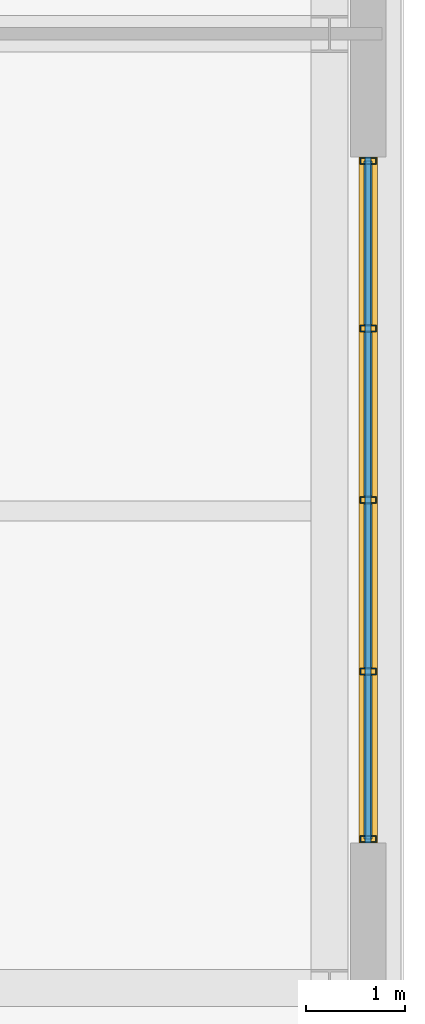
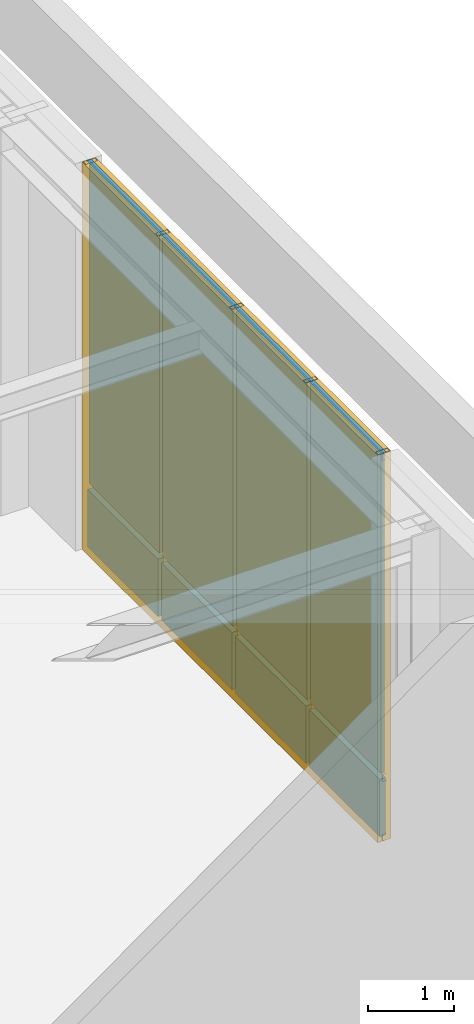
# One storey, part 10 of 17: 8 members, 8 plates, 1 curtain wall.
"""IFC4 building model written with IfcOpenShell, lengths in metres."""

from ifc_helpers import new_model, si_unit, direction, frame, frame_2d, origin, origin_2d, place, context, subcontext, project, spatial, rectangle, hollow_rectangle, extrude, material, layer, layer_set, material_profile, profile_set, type_object, element, aggregate, save


model = new_model("IFC4")

# Units and contexts
model_context = context("Model", 3, precision=1e-05, world=origin(), true_north=direction((0.0, 1.0)))
body_context = subcontext(model_context, "Body", "Model", "MODEL_VIEW")
ifc_project = project(units=[si_unit("LENGTHUNIT", "METRE"), si_unit("AREAUNIT", "SQUARE_METRE"), si_unit("VOLUMEUNIT", "CUBIC_METRE"), si_unit("PLANEANGLEUNIT", "RADIAN"), si_unit("MASSUNIT", "GRAM", prefix="KILO")], contexts=[model_context])

# Member
ifc_material_1 = material(Name="Anodized Aluminium 6063-T6", Category="aluminium")
ifc_material_profile_1 = material_profile(ifc_material_1, hollow_rectangle(XDim=0.06494140625, YDim=0.159912109375, WallThickness=0.00390625, at=origin_2d()), Name="Anodized Aluminium 6063-T6")
ifc_profile_set_1 = profile_set([ifc_material_profile_1], Name="Anodized Aluminium 6063-T6")
member_type_1 = type_object("IfcMemberType", Name="Curtain Wall Mullion 160", PredefinedType="MULLION", material=ifc_profile_set_1)
site_placement = place(None, origin())
building_placement = place(site_placement, origin())
storey_placement = place(building_placement, frame((0.0, 0.0, 308.0)))
member_1_placement = place(storey_placement, frame((47.639892578125, 11.10009765625, 0.0), z_axis=(0.0, 0.0, 1.0), x_axis=(0.0, 1.0, 0.0)))
member_1 = element("IfcMember", 1, at=member_1_placement, type_object=member_type_1, Name="Curtain Wall Mullion CW-L78-E04-1-M01", PredefinedType="MULLION", context=body_context, shape_type="SweptSolid", body=[
    extrude(hollow_rectangle(XDim=0.06494140625, YDim=0.159912109375, WallThickness=0.00390625, at=origin_2d()), origin(), (0.0, 0.0, 1.0), 5.52001953125),
])

member_2_placement = place(storey_placement, frame((47.639892578125, 12.784912109375, 0.0), z_axis=(0.0, 0.0, 1.0), x_axis=(0.0, 1.0, 0.0)))
member_2 = element("IfcMember", 2, at=member_2_placement, type_object=member_type_1, Name="Curtain Wall Mullion CW-L78-E04-1-M02", PredefinedType="MULLION", context=body_context, shape_type="SweptSolid", body=[
    extrude(hollow_rectangle(XDim=0.06494140625, YDim=0.159912109375, WallThickness=0.00390625, at=origin_2d()), origin(), (0.0, 0.0, 1.0), 5.52001953125),
])

member_3_placement = place(storey_placement, frame((47.639892578125, 14.510009765625, 0.0), z_axis=(0.0, 0.0, 1.0), x_axis=(0.0, 1.0, 0.0)))
member_3 = element("IfcMember", 3, at=member_3_placement, type_object=member_type_1, Name="Curtain Wall Mullion CW-L78-E04-1-M03", PredefinedType="MULLION", context=body_context, shape_type="SweptSolid", body=[
    extrude(hollow_rectangle(XDim=0.06494140625, YDim=0.159912109375, WallThickness=0.00390625, at=origin_2d()), origin(), (0.0, 0.0, 1.0), 5.52001953125),
])

member_4_placement = place(storey_placement, frame((47.639892578125, 16.235107421875, 0.0), z_axis=(0.0, 0.0, 1.0), x_axis=(0.0, 1.0, 0.0)))
member_4 = element("IfcMember", 4, at=member_4_placement, type_object=member_type_1, Name="Curtain Wall Mullion CW-L78-E04-1-M04", PredefinedType="MULLION", context=body_context, shape_type="SweptSolid", body=[
    extrude(hollow_rectangle(XDim=0.06494140625, YDim=0.159912109375, WallThickness=0.00390625, at=origin_2d()), origin(), (0.0, 0.0, 1.0), 5.52001953125),
])

member_5_placement = place(storey_placement, frame((47.639892578125, 17.919921875, 0.0), z_axis=(0.0, 0.0, 1.0), x_axis=(0.0, 1.0, 0.0)))
member_5 = element("IfcMember", 5, at=member_5_placement, type_object=member_type_1, Name="Curtain Wall Mullion CW-L78-E04-1-M05", PredefinedType="MULLION", context=body_context, shape_type="SweptSolid", body=[
    extrude(hollow_rectangle(XDim=0.06494140625, YDim=0.159912109375, WallThickness=0.00390625, at=origin_2d()), origin(), (0.0, 0.0, 1.0), 5.52001953125),
])

ifc_material_profile_2 = material_profile(ifc_material_1, hollow_rectangle(XDim=0.06005859375, YDim=0.10009765625, WallThickness=0.0029296875, at=origin_2d()), Name="Anodized Aluminium 6063-T6")
ifc_profile_set_2 = profile_set([ifc_material_profile_2], Name="Anodized Aluminium 6063-T6")
member_type_2 = type_object("IfcMemberType", Name="Curtain Wall Transom 100", PredefinedType="USERDEFINED", material=ifc_profile_set_2)
member_6_placement = place(storey_placement, frame((47.639892578125, 11.06005859375, 0.050048828125), z_axis=(0.0, 1.0, 0.0), x_axis=(-1.0, 0.0, 0.0)))
member_6 = element("IfcMember", 6, at=member_6_placement, type_object=member_type_2, Name="Curtain Wall Transom CW-L78-E04-1-T01", ObjectType="TRANSOM", PredefinedType="USERDEFINED", context=body_context, shape_type="SweptSolid", body=[
    extrude(hollow_rectangle(XDim=0.06005859375, YDim=0.10009765625, WallThickness=0.0029296875, at=origin_2d()), origin(), (0.0, 0.0, 1.0), 6.89990234375),
])

member_7_placement = place(storey_placement, frame((47.639892578125, 11.06005859375, 0.89990234375), z_axis=(0.0, 1.0, 0.0), x_axis=(-1.0, 0.0, 0.0)))
member_7 = element("IfcMember", 7, at=member_7_placement, type_object=member_type_2, Name="Curtain Wall Transom CW-L78-E04-1-T02", ObjectType="TRANSOM", PredefinedType="USERDEFINED", context=body_context, shape_type="SweptSolid", body=[
    extrude(hollow_rectangle(XDim=0.06005859375, YDim=0.10009765625, WallThickness=0.0029296875, at=origin_2d()), origin(), (0.0, 0.0, 1.0), 6.89990234375),
])

member_8_placement = place(storey_placement, frame((47.639892578125, 11.06005859375, 5.469970703125), z_axis=(0.0, 1.0, 0.0), x_axis=(-1.0, 0.0, 0.0)))
member_8 = element("IfcMember", 8, at=member_8_placement, type_object=member_type_2, Name="Curtain Wall Transom CW-L78-E04-1-T03", ObjectType="TRANSOM", PredefinedType="USERDEFINED", context=body_context, shape_type="SweptSolid", body=[
    extrude(hollow_rectangle(XDim=0.06005859375, YDim=0.10009765625, WallThickness=0.0029296875, at=origin_2d()), origin(), (0.0, 0.0, 1.0), 6.89990234375),
])

# Plate
ifc_material_2 = material(Name="Triple Low-E Argon Glazing", Category="glass")
ifc_layer_1 = layer(ifc_material_2, 0.0439453125, Name="Triple Low-E Argon Glazing")
ifc_layer_set_1 = layer_set([ifc_layer_1], Name="Triple Low-E Argon Glazing")
plate_type_1 = type_object("IfcPlateType", Name="Plate CWGlazing 44", PredefinedType="CURTAIN_PANEL", material=ifc_layer_set_1)
plate_1_placement = place(storey_placement, frame((47.639892578125, 11.922607421875, 0.93994140625), z_axis=(0.0, 0.0, 1.0), x_axis=(0.0, 1.0, 0.0)))
plate_1 = element("IfcPlate", 9, at=plate_1_placement, type_object=plate_type_1, Name="Vision Glazing Panel CW-L78-E04-1-GL01", PredefinedType="CURTAIN_PANEL", context=body_context, shape_type="SweptSolid", body=[
    extrude(rectangle(XDim=1.64501953125, YDim=0.0439453125, at=origin_2d()), origin(), (0.0, 0.0, 1.0), 4.5400390625),
])

plate_2_placement = place(storey_placement, frame((47.639892578125, 13.6474609375, 0.93994140625), z_axis=(0.0, 0.0, 1.0), x_axis=(0.0, 1.0, 0.0)))
plate_2 = element("IfcPlate", 10, at=plate_2_placement, type_object=plate_type_1, Name="Vision Glazing Panel CW-L78-E04-1-GL02", PredefinedType="CURTAIN_PANEL", context=body_context, shape_type="SweptSolid", body=[
    extrude(rectangle(XDim=1.64501953125, YDim=0.0439453125, at=origin_2d()), origin(), (0.0, 0.0, 1.0), 4.5400390625),
])

plate_3_placement = place(storey_placement, frame((47.639892578125, 15.37255859375, 0.93994140625), z_axis=(0.0, 0.0, 1.0), x_axis=(0.0, 1.0, 0.0)))
plate_3 = element("IfcPlate", 11, at=plate_3_placement, type_object=plate_type_1, Name="Vision Glazing Panel CW-L78-E04-1-GL03", PredefinedType="CURTAIN_PANEL", context=body_context, shape_type="SweptSolid", body=[
    extrude(rectangle(XDim=1.64501953125, YDim=0.0439453125, at=origin_2d()), origin(), (0.0, 0.0, 1.0), 4.5400390625),
])

plate_4_placement = place(storey_placement, frame((47.639892578125, 17.097412109375, 0.93994140625), z_axis=(0.0, 0.0, 1.0), x_axis=(0.0, 1.0, 0.0)))
plate_4 = element("IfcPlate", 12, at=plate_4_placement, type_object=plate_type_1, Name="Vision Glazing Panel CW-L78-E04-1-GL04", PredefinedType="CURTAIN_PANEL", context=body_context, shape_type="SweptSolid", body=[
    extrude(rectangle(XDim=1.64501953125, YDim=0.0439453125, at=origin_2d()), origin(), (0.0, 0.0, 1.0), 4.5400390625),
])

ifc_material_3 = material(Name="Insulated Aluminium Spandrel Panel", Category="aluminium")
ifc_layer_2 = layer(ifc_material_3, 0.080078125, Name="Insulated Aluminium Spandrel Panel")
ifc_layer_set_2 = layer_set([ifc_layer_2], Name="Insulated Aluminium Spandrel Panel")
plate_type_2 = type_object("IfcPlateType", Name="Plate CWSpandrel 80", PredefinedType="SHEET", material=ifc_layer_set_2)
plate_5_placement = place(storey_placement, frame((47.639892578125, 11.922607421875, 0.0400390625), z_axis=(0.0, 0.0, 1.0), x_axis=(0.0, 1.0, 0.0)))
plate_5 = element("IfcPlate", 13, at=plate_5_placement, type_object=plate_type_2, Name="Spandrel Panel CW-L78-E04-1-SP01", PredefinedType="SHEET", context=body_context, shape_type="SweptSolid", body=[
    extrude(rectangle(XDim=1.64501953125, YDim=0.080078125, at=origin_2d()), origin(), (0.0, 0.0, 1.0), 0.820068359375),
])

plate_6_placement = place(storey_placement, frame((47.639892578125, 13.6474609375, 0.0400390625), z_axis=(0.0, 0.0, 1.0), x_axis=(0.0, 1.0, 0.0)))
plate_6 = element("IfcPlate", 14, at=plate_6_placement, type_object=plate_type_2, Name="Spandrel Panel CW-L78-E04-1-SP02", PredefinedType="SHEET", context=body_context, shape_type="SweptSolid", body=[
    extrude(rectangle(XDim=1.64501953125, YDim=0.080078125, at=origin_2d()), origin(), (0.0, 0.0, 1.0), 0.820068359375),
])

plate_7_placement = place(storey_placement, frame((47.639892578125, 15.37255859375, 0.0400390625), z_axis=(0.0, 0.0, 1.0), x_axis=(0.0, 1.0, 0.0)))
plate_7 = element("IfcPlate", 15, at=plate_7_placement, type_object=plate_type_2, Name="Spandrel Panel CW-L78-E04-1-SP03", PredefinedType="SHEET", context=body_context, shape_type="SweptSolid", body=[
    extrude(rectangle(XDim=1.64501953125, YDim=0.080078125, at=origin_2d()), origin(), (0.0, 0.0, 1.0), 0.820068359375),
])

plate_8_placement = place(storey_placement, frame((47.639892578125, 17.097412109375, 0.0400390625), z_axis=(0.0, 0.0, 1.0), x_axis=(0.0, 1.0, 0.0)))
plate_8 = element("IfcPlate", 16, at=plate_8_placement, type_object=plate_type_2, Name="Spandrel Panel CW-L78-E04-1-SP04", PredefinedType="SHEET", context=body_context, shape_type="SweptSolid", body=[
    extrude(rectangle(XDim=1.64501953125, YDim=0.080078125, at=origin_2d()), origin(), (0.0, 0.0, 1.0), 0.820068359375),
])

# Site, building, storey
site = spatial("IfcSite", under=ifc_project, at=site_placement, CompositionType="ELEMENT")
building = spatial("IfcBuilding", under=site, at=building_placement, Name="Norrvale University Quadrangle", CompositionType="ELEMENT")
storey = spatial("IfcBuildingStorey", under=building, at=storey_placement, Name="L78", CompositionType="ELEMENT", Elevation=308.0)

# Curtain wall
ifc_material_4 = material(Name="Anodized Aluminium and Triple Glazing", Category="glass")
curtain_wall_type = type_object("IfcCurtainWallType", Name="Curtain Wall System 6 Pool Crown", PredefinedType="NOTDEFINED", material=ifc_material_4)
curtain_wall_placement = place(storey_placement, frame((47.639892578125, 11.06005859375, 0.0), z_axis=(0.0, 0.0, 1.0), x_axis=(0.0, 1.0, 0.0)))
curtain_wall = element("IfcCurtainWall", 17, at=curtain_wall_placement, inside=storey, type_object=curtain_wall_type, Name="Curtain Wall CW System 6 Pool Crown CW-L78-E04-1", PredefinedType="NOTDEFINED", context=body_context, shape_type="SweptSolid", body=[
    extrude(rectangle(XDim=6.89990234375, YDim=0.18505859375, at=frame_2d((3.449951171875, 0.0))), origin(), (0.0, 0.0, 1.0), 5.52001953125),
])

aggregate(curtain_wall, [member_1, member_2, member_3, member_4, member_5, member_6, member_7, member_8, plate_5, plate_1, plate_6, plate_2, plate_7, plate_3, plate_8, plate_4])

save(model, "model.ifc")
